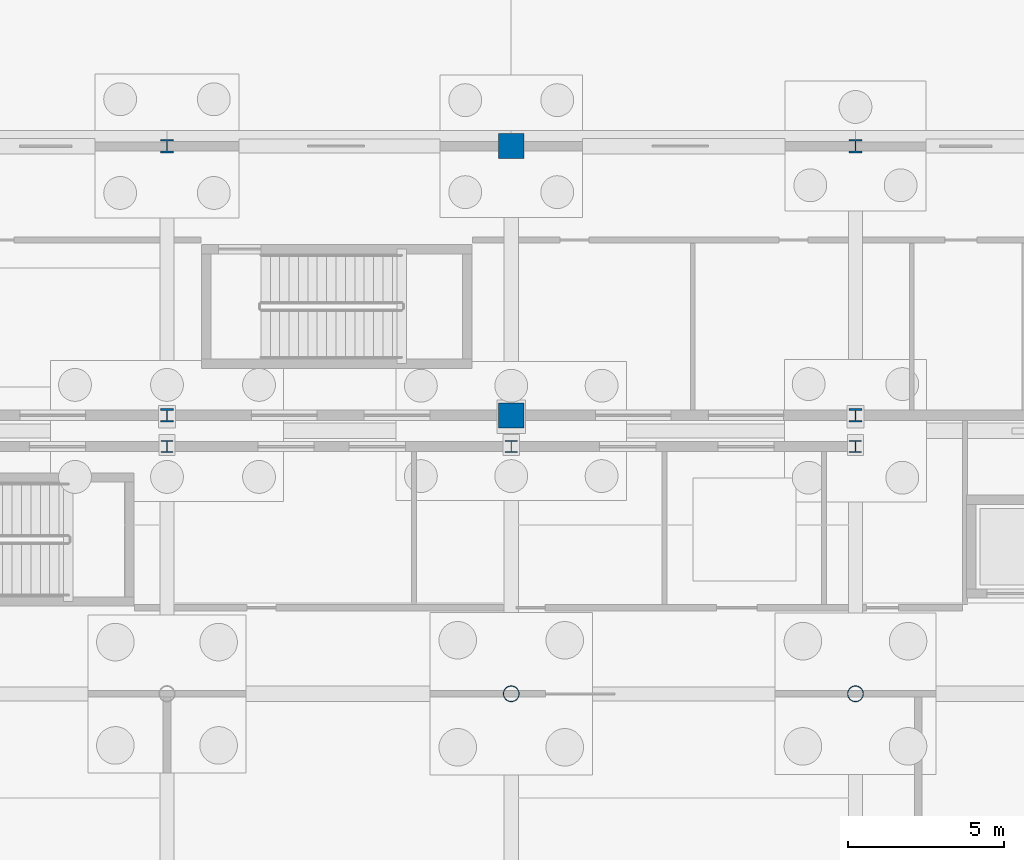
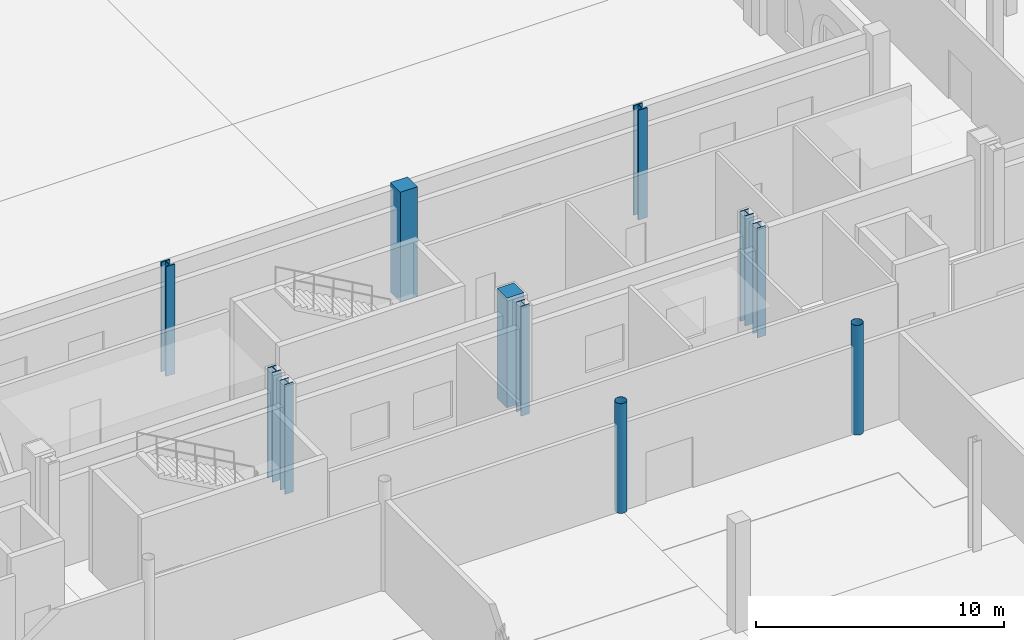
# One storey, part 20 of 83: 11 columns.
"""IFC4 building model written with IfcOpenShell, lengths in metres."""

from ifc_helpers import new_model, si_unit, direction, frame, origin, origin_2d, place, context, subcontext, project, spatial, rectangle, hollow_circle, i_section, extrude, material, material_profile, profile_set, type_object, element, save


model = new_model("IFC4")

# Units and contexts
model_context = context("Model", 3, precision=1e-05, world=origin(), true_north=direction((0.0, 1.0)))
body_context = subcontext(model_context, "Body", "Model", "MODEL_VIEW")
ifc_project = project(units=[si_unit("LENGTHUNIT", "METRE"), si_unit("AREAUNIT", "SQUARE_METRE"), si_unit("VOLUMEUNIT", "CUBIC_METRE"), si_unit("PLANEANGLEUNIT", "RADIAN"), si_unit("MASSUNIT", "GRAM", prefix="KILO")], contexts=[model_context])

# Site, building, storey
site_placement = place(None, origin())
site = spatial("IfcSite", under=ifc_project, at=site_placement, CompositionType="ELEMENT")
building_placement = place(site_placement, origin())
building = spatial("IfcBuilding", under=site, at=building_placement, Name="Caurita Quay Ferry Terminal", CompositionType="ELEMENT")
storey_placement = place(building_placement, origin())
storey = spatial("IfcBuildingStorey", under=building, at=storey_placement, Name="L00", CompositionType="ELEMENT", Elevation=0.0)

# Columns
ifc_material_1 = material(Name="Hollow structural steel ASTM A500 Gr. C", Category="steel")
ifc_material_profile_1 = material_profile(ifc_material_1, hollow_circle(Radius=0.25390625, WallThickness=0.01171875, at=origin_2d()), Name="HSS20.000X0.500")
ifc_profile_set_1 = profile_set([ifc_material_profile_1], Name="Hollow structural steel ASTM A500 Gr. C")
column_type_1 = type_object("IfcColumnType", Name="COL-MST-01", PredefinedType="COLUMN", material=ifc_profile_set_1)
for number, where, z_axis, x_axis, name in (
    (1, (44.0, 62.699951171875, 0.0), (0.0, 0.0, 1.0), (1.0, 0.0, 0.0), "L00 Column V1-MST-05-N"),
    (2, (55.0, 62.699951171875, 0.0), (0.0, 0.0, 1.0), (1.0, 0.0, 0.0), "L00 Column V1-MST-06-N"),
):
    element("IfcColumn", number, at=place(storey_placement, frame(where, z_axis=z_axis, x_axis=x_axis)), inside=storey, type_object=column_type_1, Name=name, PredefinedType="COLUMN", context=body_context, shape_type="SweptSolid", body=[
        extrude(hollow_circle(Radius=0.25390625, WallThickness=0.01171875, at=origin_2d()), origin(), (0.0, 0.0, 1.0), 5.39990234375),
    ])
ifc_material_2 = material(Name="Marine reinforced concrete C40/50", Category="concrete")
ifc_material_profile_2 = material_profile(ifc_material_2, rectangle(XDim=0.800048828125, YDim=0.800048828125, at=origin_2d()), Name="RC-COL-800X800")
ifc_profile_set_2 = profile_set([ifc_material_profile_2], Name="Marine reinforced concrete C40/50")
column_type_2 = type_object("IfcColumnType", Name="COL-RC-800", PredefinedType="COLUMN", material=ifc_profile_set_2)
for number, where, z_axis, x_axis, name in (
    (3, (44.0, 71.60009765625, 0.0), (0.0, 0.0, 1.0), (1.0, 0.0, 0.0), "L00 Column V5-05-L"),
    (4, (44.0, 80.199951171875, 0.0), (0.0, 0.0, 1.0), (1.0, 0.0, 0.0), "L00 Column V5-05-M"),
):
    element("IfcColumn", number, at=place(storey_placement, frame(where, z_axis=z_axis, x_axis=x_axis)), inside=storey, type_object=column_type_2, Name=name, PredefinedType="COLUMN", context=body_context, shape_type="SweptSolid", body=[
        extrude(rectangle(XDim=0.800048828125, YDim=0.800048828125, at=origin_2d()), origin(), (0.0, 0.0, 1.0), 5.39990234375),
    ])
ifc_material_3 = material(Name="Structural steel ASTM A992 Gr. 50", Category="steel")
ifc_material_profile_3 = material_profile(ifc_material_3, i_section(OverallWidth=0.410888671875, OverallDepth=0.43408203125, WebThickness=0.035888671875, FlangeThickness=0.057373046875, at=origin_2d()), Name="W14X311")
ifc_profile_set_3 = profile_set([ifc_material_profile_3], Name="Structural steel ASTM A992 Gr. 50")
column_type_3 = type_object("IfcColumnType", Name="COL-STL-01", PredefinedType="COLUMN", material=ifc_profile_set_3)
for number, where, z_axis, x_axis, name in (
    (5, (33.0, 71.60009765625, 0.0), (0.0, 0.0, 1.0), (1.0, 0.0, 0.0), "L00 Column V5-04-L"),
    (6, (33.0, 80.199951171875, 0.0), (0.0, 0.0, 1.0), (1.0, 0.0, 0.0), "L00 Column V5-04-M"),
    (7, (55.0, 71.60009765625, 0.0), (0.0, 0.0, 1.0), (1.0, 0.0, 0.0), "L00 Column V5-06-L"),
    (8, (55.0, 80.199951171875, 0.0), (0.0, 0.0, 1.0), (1.0, 0.0, 0.0), "L00 Column V5-06-M"),
):
    element("IfcColumn", number, at=place(storey_placement, frame(where, z_axis=z_axis, x_axis=x_axis)), inside=storey, type_object=column_type_3, Name=name, PredefinedType="COLUMN", context=body_context, shape_type="SweptSolid", body=[
        extrude(i_section(OverallWidth=0.410888671875, OverallDepth=0.43408203125, WebThickness=0.035888671875, FlangeThickness=0.057373046875, at=origin_2d()), origin(), (0.0, 0.0, 1.0), 5.39990234375),
    ])
ifc_material_profile_4 = material_profile(ifc_material_3, i_section(OverallWidth=0.398681640625, OverallDepth=0.393798828125, WebThickness=0.022705078125, FlangeThickness=0.03662109375, FilletRadius=0.017822265625, at=origin_2d()), Name="W14X193")
ifc_profile_set_4 = profile_set([ifc_material_profile_4], Name="Structural steel ASTM A992 Gr. 50")
column_type_4 = type_object("IfcColumnType", Name="COL-STL-04", PredefinedType="COLUMN", material=ifc_profile_set_4)
for number, where, z_axis, x_axis, name in (
    (9, (33.0, 70.60009765625, 0.0), (0.0, 0.0, 1.0), (1.0, 0.0, 0.0), "L00 Column V1-NTH-04-K"),
    (10, (44.0, 70.60009765625, 0.0), (0.0, 0.0, 1.0), (1.0, 0.0, 0.0), "L00 Column V1-NTH-05-K"),
    (11, (55.0, 70.60009765625, 0.0), (0.0, 0.0, 1.0), (1.0, 0.0, 0.0), "L00 Column V1-NTH-06-K"),
):
    element("IfcColumn", number, at=place(storey_placement, frame(where, z_axis=z_axis, x_axis=x_axis)), inside=storey, type_object=column_type_4, Name=name, PredefinedType="COLUMN", context=body_context, shape_type="SweptSolid", body=[
        extrude(i_section(OverallWidth=0.398681640625, OverallDepth=0.393798828125, WebThickness=0.022705078125, FlangeThickness=0.03662109375, FilletRadius=0.017822265625, at=origin_2d()), origin(), (0.0, 0.0, 1.0), 5.39990234375),
    ])

save(model, "model.ifc")
